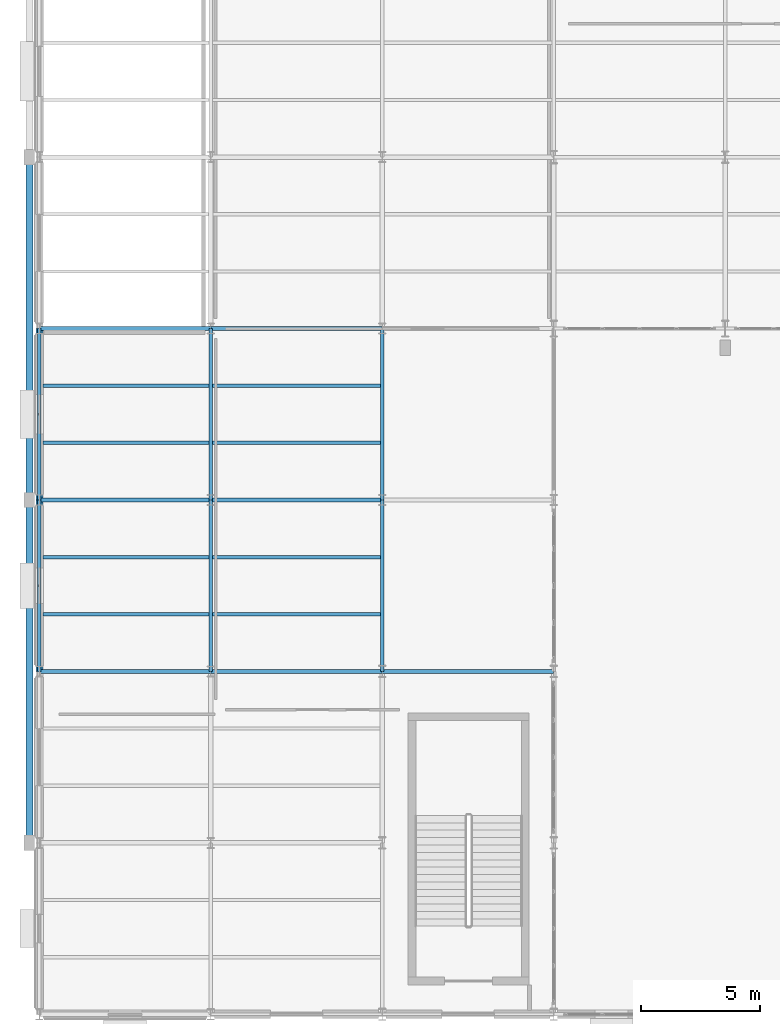
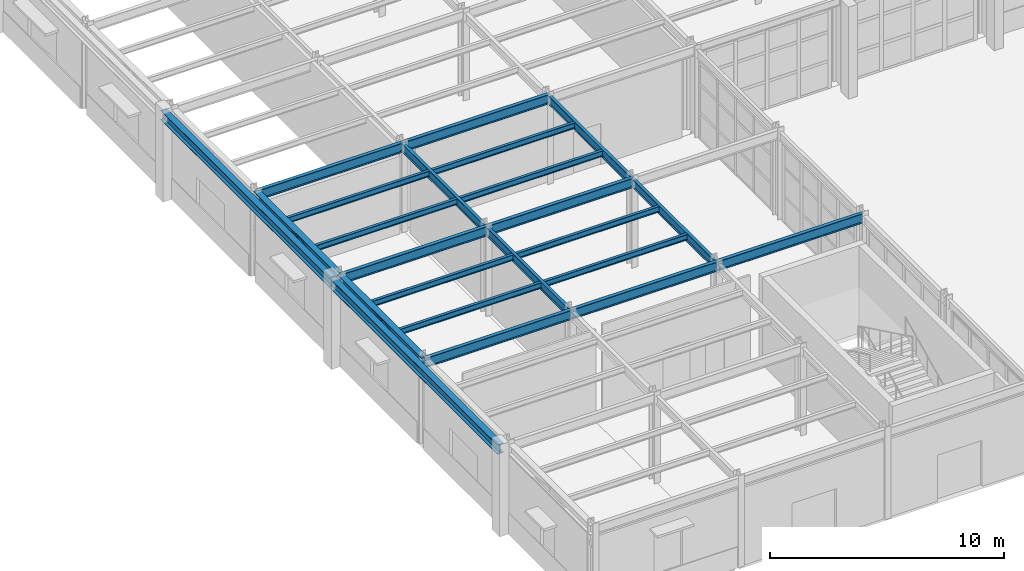
# One storey, part 21 of 83: 23 beams, 4 members.
"""IFC4 building model written with IfcOpenShell, lengths in metres."""

from ifc_helpers import new_model, si_unit, direction, frame, origin, origin_2d, place, context, subcontext, project, spatial, hollow_rectangle, i_section, extrude, material, material_profile, profile_set, type_object, element, save


model = new_model("IFC4")

# Units and contexts
model_context = context("Model", 3, precision=1e-05, world=origin(), true_north=direction((0.0, 1.0)))
body_context = subcontext(model_context, "Body", "Model", "MODEL_VIEW")
ifc_project = project(units=[si_unit("LENGTHUNIT", "METRE"), si_unit("AREAUNIT", "SQUARE_METRE"), si_unit("VOLUMEUNIT", "CUBIC_METRE"), si_unit("PLANEANGLEUNIT", "RADIAN"), si_unit("MASSUNIT", "GRAM", prefix="KILO")], contexts=[model_context])

# Site, building, storey
site_placement = place(None, origin())
site = spatial("IfcSite", under=ifc_project, at=site_placement, CompositionType="ELEMENT")
building_placement = place(site_placement, origin())
building = spatial("IfcBuilding", under=site, at=building_placement, Name="Solvadek Multi-Sports Hall", CompositionType="ELEMENT")
storey_placement = place(building_placement, origin())
storey = spatial("IfcBuildingStorey", under=building, at=storey_placement, Name="L00", CompositionType="ELEMENT", Elevation=0.0)

# Members
ifc_material = material(Name="Steel E350 (350 MPa)", Category="steel")
ifc_material_profile_1 = material_profile(ifc_material, hollow_rectangle(XDim=0.14990234375, YDim=0.25, WallThickness=0.010009765625, at=origin_2d()), Name="RHS 250x150x10")
ifc_profile_set_1 = profile_set([ifc_material_profile_1], Name="Steel E350 (350 MPa)")
member_type = type_object("IfcMemberType", Name="STR-ARC-RHS250", PredefinedType="USERDEFINED", material=ifc_profile_set_1)
member_1_placement = place(storey_placement, frame((0.0, 34.800048828125, 3.550048828125), z_axis=(0.0, 0.9831211258, 0.182955874479), x_axis=(-1.0, 0.0, 0.0)))
element("IfcMember", 1, at=member_1_placement, inside=storey, type_object=member_type, Name="L00 West Facade Pointed Ottoman Arch 3L", ObjectType="ARCH_SEGMENT", PredefinedType="USERDEFINED", context=body_context, shape_type="SweptSolid", body=[
    extrude(hollow_rectangle(XDim=0.14990234375, YDim=0.25, WallThickness=0.010009765625, at=origin_2d()), origin(), (0.0, 0.0, 1.0), 3.66162109375),
])
for number, where, z_axis, x_axis, name in (
    (2, (0.0, 38.39990234375, 4.219970703125), (0.0, 0.983123357379, -0.182943882588), (-1.0, 0.0, 0.0), "L00 West Facade Pointed Ottoman Arch 3R"),
    (3, (0.0, 42.0, 3.550048828125), (0.0, 0.983123357379, 0.182943882588), (-1.0, 0.0, 0.0), "L00 West Facade Pointed Ottoman Arch 4L"),
):
    element("IfcMember", number, at=place(storey_placement, frame(where, z_axis=z_axis, x_axis=x_axis)), inside=storey, type_object=member_type, Name=name, ObjectType="ARCH_SEGMENT", PredefinedType="USERDEFINED", context=body_context, shape_type="SweptSolid", body=[
        extrude(hollow_rectangle(XDim=0.14990234375, YDim=0.25, WallThickness=0.010009765625, at=origin_2d()), origin(), (0.0, 0.0, 1.0), 3.661865234375),
    ])
member_2_placement = place(storey_placement, frame((0.0, 45.60009765625, 4.219970703125), z_axis=(0.0, 0.9831211258, -0.182955874479), x_axis=(-1.0, 0.0, 0.0)))
element("IfcMember", 4, at=member_2_placement, inside=storey, type_object=member_type, Name="L00 West Facade Pointed Ottoman Arch 4R", ObjectType="ARCH_SEGMENT", PredefinedType="USERDEFINED", context=body_context, shape_type="SweptSolid", body=[
    extrude(hollow_rectangle(XDim=0.14990234375, YDim=0.25, WallThickness=0.010009765625, at=origin_2d()), origin(), (0.0, 0.0, 1.0), 3.66162109375),
])

# Beams
ifc_material_profile_2 = material_profile(ifc_material, i_section(OverallWidth=0.14990234375, OverallDepth=0.449951171875, WebThickness=0.009521484375, FlangeThickness=0.017333984375, at=origin_2d()), Name="ISMB 450")
ifc_profile_set_2 = profile_set([ifc_material_profile_2], Name="Steel E350 (350 MPa)")
beam_type_1 = type_object("IfcBeamType", Name="STR-BM-ISMB450", PredefinedType="BEAM", material=ifc_profile_set_2)
for number, where, z_axis, x_axis, name in (
    (5, (7.199951171875, 34.800048828125, 4.35498046875), (0.0, 1.0, 0.0), (-1.0, 0.0, 0.0), "L00 Girder B-09 #742"),
    (6, (7.199951171875, 42.0, 4.35498046875), (0.0, 1.0, 0.0), (-1.0, 0.0, 0.0), "L00 Girder B-09 #743"),
    (7, (14.39990234375, 34.800048828125, 4.35498046875), (0.0, 1.0, 0.0), (-1.0, 0.0, 0.0), "L00 Girder B-09 #754"),
    (8, (14.39990234375, 42.0, 4.35498046875), (0.0, 1.0, 0.0), (-1.0, 0.0, 0.0), "L00 Girder B-09 #755"),
):
    element("IfcBeam", number, at=place(storey_placement, frame(where, z_axis=z_axis, x_axis=x_axis)), inside=storey, type_object=beam_type_1, Name=name, PredefinedType="BEAM", context=body_context, shape_type="SweptSolid", body=[
        extrude(i_section(OverallWidth=0.14990234375, OverallDepth=0.449951171875, WebThickness=0.009521484375, FlangeThickness=0.017333984375, at=origin_2d()), origin(), (0.0, 0.0, 1.0), 7.199951171875),
    ])
ifc_material_profile_3 = material_profile(ifc_material, i_section(OverallWidth=0.179931640625, OverallDepth=0.5, WebThickness=0.01025390625, FlangeThickness=0.01708984375, at=origin_2d()), Name="ISMB 500")
ifc_profile_set_3 = profile_set([ifc_material_profile_3], Name="Steel E350 (350 MPa)")
beam_type_2 = type_object("IfcBeamType", Name="STR-BM-ISMB500", PredefinedType="BEAM", material=ifc_profile_set_3)
for number, where, z_axis, x_axis, name in (
    (9, (0.0, 34.800048828125, 4.330078125), (1.0, 0.0, 0.0), (0.0, 1.0, 0.0), "L00 Girder B-07 #574"),
    (10, (7.199951171875, 34.800048828125, 4.330078125), (1.0, 0.0, 0.0), (0.0, 1.0, 0.0), "L00 Girder B-07 #575"),
):
    element("IfcBeam", number, at=place(storey_placement, frame(where, z_axis=z_axis, x_axis=x_axis)), inside=storey, type_object=beam_type_2, Name=name, PredefinedType="BEAM", context=body_context, shape_type="SweptSolid", body=[
        extrude(i_section(OverallWidth=0.179931640625, OverallDepth=0.5, WebThickness=0.01025390625, FlangeThickness=0.01708984375, at=origin_2d()), origin(), (0.0, 0.0, 1.0), 7.199951171875),
    ])
beam_placement = place(storey_placement, frame((14.39990234375, 34.800048828125, 4.330078125), z_axis=(1.0, 0.0, 0.0), x_axis=(0.0, 1.0, 0.0)))
element("IfcBeam", 11, at=beam_placement, inside=storey, type_object=beam_type_2, Name="L00 Girder B-07 #576", PredefinedType="BEAM", context=body_context, shape_type="SweptSolid", body=[
    extrude(i_section(OverallWidth=0.179931640625, OverallDepth=0.5, WebThickness=0.01025390625, FlangeThickness=0.01708984375, at=origin_2d()), origin(), (0.0, 0.0, 1.0), 7.2001953125),
])
for number, where, z_axis, x_axis, name in (
    (12, (0.0, 42.0, 4.330078125), (1.0, 0.0, 0.0), (0.0, 1.0, 0.0), "L00 Girder B-07 #587"),
    (13, (7.199951171875, 42.0, 4.330078125), (1.0, 0.0, 0.0), (0.0, 1.0, 0.0), "L00 Girder B-07 #588"),
    (14, (0.0, 49.199951171875, 4.330078125), (1.0, 0.0, 0.0), (0.0, 1.0, 0.0), "L00 Girder B-07 #603"),
    (15, (7.199951171875, 49.199951171875, 4.330078125), (1.0, 0.0, 0.0), (0.0, 1.0, 0.0), "L00 Girder B-07 #604"),
):
    element("IfcBeam", number, at=place(storey_placement, frame(where, z_axis=z_axis, x_axis=x_axis)), inside=storey, type_object=beam_type_2, Name=name, PredefinedType="BEAM", context=body_context, shape_type="SweptSolid", body=[
        extrude(i_section(OverallWidth=0.179931640625, OverallDepth=0.5, WebThickness=0.01025390625, FlangeThickness=0.01708984375, at=origin_2d()), origin(), (0.0, 0.0, 1.0), 7.199951171875),
    ])
ifc_material_profile_4 = material_profile(ifc_material, i_section(OverallWidth=0.139892578125, OverallDepth=0.300048828125, WebThickness=0.0078125, FlangeThickness=0.01318359375, at=origin_2d()), Name="ISMB 300")
ifc_profile_set_4 = profile_set([ifc_material_profile_4], Name="Steel E350 (350 MPa)")
beam_type_3 = type_object("IfcBeamType", Name="STR-JST-ISMB300", PredefinedType="JOIST", material=ifc_profile_set_4)
for number, where, z_axis, x_axis, name in (
    (16, (0.14990234375, 37.199951171875, 4.429931640625), (1.0, 0.0, 0.0), (0.0, 1.0, 0.0), "L00 Composite Joist J-03 #413"),
    (17, (0.14990234375, 39.60009765625, 4.429931640625), (1.0, 0.0, 0.0), (0.0, 1.0, 0.0), "L00 Composite Joist J-03 #414"),
):
    element("IfcBeam", number, at=place(storey_placement, frame(where, z_axis=z_axis, x_axis=x_axis)), inside=storey, type_object=beam_type_3, Name=name, PredefinedType="JOIST", context=body_context, shape_type="SweptSolid", body=[
        extrude(i_section(OverallWidth=0.139892578125, OverallDepth=0.300048828125, WebThickness=0.0078125, FlangeThickness=0.01318359375, at=origin_2d()), origin(), (0.0, 0.0, 1.0), 6.97509765625),
    ])
for number, where, z_axis, x_axis, name in (
    (18, (7.27490234375, 37.199951171875, 4.429931640625), (1.0, 0.0, 0.0), (0.0, 1.0, 0.0), "L00 Composite Joist J-03 #415"),
    (19, (7.27490234375, 39.60009765625, 4.429931640625), (1.0, 0.0, 0.0), (0.0, 1.0, 0.0), "L00 Composite Joist J-03 #416"),
):
    element("IfcBeam", number, at=place(storey_placement, frame(where, z_axis=z_axis, x_axis=x_axis)), inside=storey, type_object=beam_type_3, Name=name, PredefinedType="JOIST", context=body_context, shape_type="SweptSolid", body=[
        extrude(i_section(OverallWidth=0.139892578125, OverallDepth=0.300048828125, WebThickness=0.0078125, FlangeThickness=0.01318359375, at=origin_2d()), origin(), (0.0, 0.0, 1.0), 7.050048828125),
    ])
for number, where, z_axis, x_axis, name in (
    (20, (0.14990234375, 44.39990234375, 4.429931640625), (1.0, 0.0, 0.0), (0.0, 1.0, 0.0), "L00 Composite Joist J-03 #428"),
    (21, (0.14990234375, 46.800048828125, 4.429931640625), (1.0, 0.0, 0.0), (0.0, 1.0, 0.0), "L00 Composite Joist J-03 #429"),
):
    element("IfcBeam", number, at=place(storey_placement, frame(where, z_axis=z_axis, x_axis=x_axis)), inside=storey, type_object=beam_type_3, Name=name, PredefinedType="JOIST", context=body_context, shape_type="SweptSolid", body=[
        extrude(i_section(OverallWidth=0.139892578125, OverallDepth=0.300048828125, WebThickness=0.0078125, FlangeThickness=0.01318359375, at=origin_2d()), origin(), (0.0, 0.0, 1.0), 6.97509765625),
    ])
for number, where, z_axis, x_axis, name in (
    (22, (7.27490234375, 44.39990234375, 4.429931640625), (1.0, 0.0, 0.0), (0.0, 1.0, 0.0), "L00 Composite Joist J-03 #430"),
    (23, (7.27490234375, 46.800048828125, 4.429931640625), (1.0, 0.0, 0.0), (0.0, 1.0, 0.0), "L00 Composite Joist J-03 #431"),
):
    element("IfcBeam", number, at=place(storey_placement, frame(where, z_axis=z_axis, x_axis=x_axis)), inside=storey, type_object=beam_type_3, Name=name, PredefinedType="JOIST", context=body_context, shape_type="SweptSolid", body=[
        extrude(i_section(OverallWidth=0.139892578125, OverallDepth=0.300048828125, WebThickness=0.0078125, FlangeThickness=0.01318359375, at=origin_2d()), origin(), (0.0, 0.0, 1.0), 7.050048828125),
    ])
ifc_material_profile_5 = material_profile(ifc_material, i_section(OverallWidth=0.300048828125, OverallDepth=0.5, WebThickness=0.014404296875, FlangeThickness=0.028076171875, at=origin_2d()), Name="WPB 500")
ifc_profile_set_5 = profile_set([ifc_material_profile_5], Name="Steel E350 (350 MPa)")
beam_type_4 = type_object("IfcBeamType", Name="STR-SPN-WPB500", PredefinedType="SPANDREL", material=ifc_profile_set_5)
for number, where, z_axis, x_axis, name in (
    (24, (-0.419921875, 27.60009765625, 4.330078125), (0.0, 1.0, 0.0), (-1.0, 0.0, 0.0), "L00 Girder SP-01 #724"),
    (25, (-0.419921875, 42.0, 4.330078125), (0.0, 1.0, 0.0), (-1.0, 0.0, 0.0), "L00 Girder SP-01 #725"),
):
    element("IfcBeam", number, at=place(storey_placement, frame(where, z_axis=z_axis, x_axis=x_axis)), inside=storey, type_object=beam_type_4, Name=name, PredefinedType="SPANDREL", context=body_context, shape_type="SweptSolid", body=[
        extrude(i_section(OverallWidth=0.300048828125, OverallDepth=0.5, WebThickness=0.014404296875, FlangeThickness=0.028076171875, at=origin_2d()), origin(), (0.0, 0.0, 1.0), 14.39990234375),
    ])
for number, where, z_axis, x_axis, name in (
    (26, (0.0, 34.800048828125, 4.330078125), (0.0, 1.0, 0.0), (-1.0, 0.0, 0.0), "L00 Girder SP-01 #730"),
    (27, (0.0, 42.0, 4.330078125), (0.0, 1.0, 0.0), (-1.0, 0.0, 0.0), "L00 Girder SP-01 #731"),
):
    element("IfcBeam", number, at=place(storey_placement, frame(where, z_axis=z_axis, x_axis=x_axis)), inside=storey, type_object=beam_type_4, Name=name, PredefinedType="SPANDREL", context=body_context, shape_type="SweptSolid", body=[
        extrude(i_section(OverallWidth=0.300048828125, OverallDepth=0.5, WebThickness=0.014404296875, FlangeThickness=0.028076171875, at=origin_2d()), origin(), (0.0, 0.0, 1.0), 7.199951171875),
    ])

save(model, "model.ifc")
